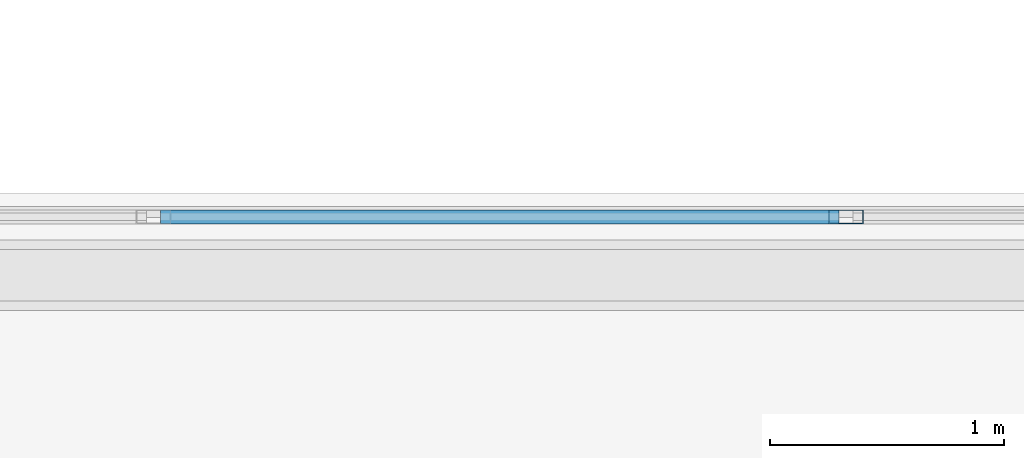
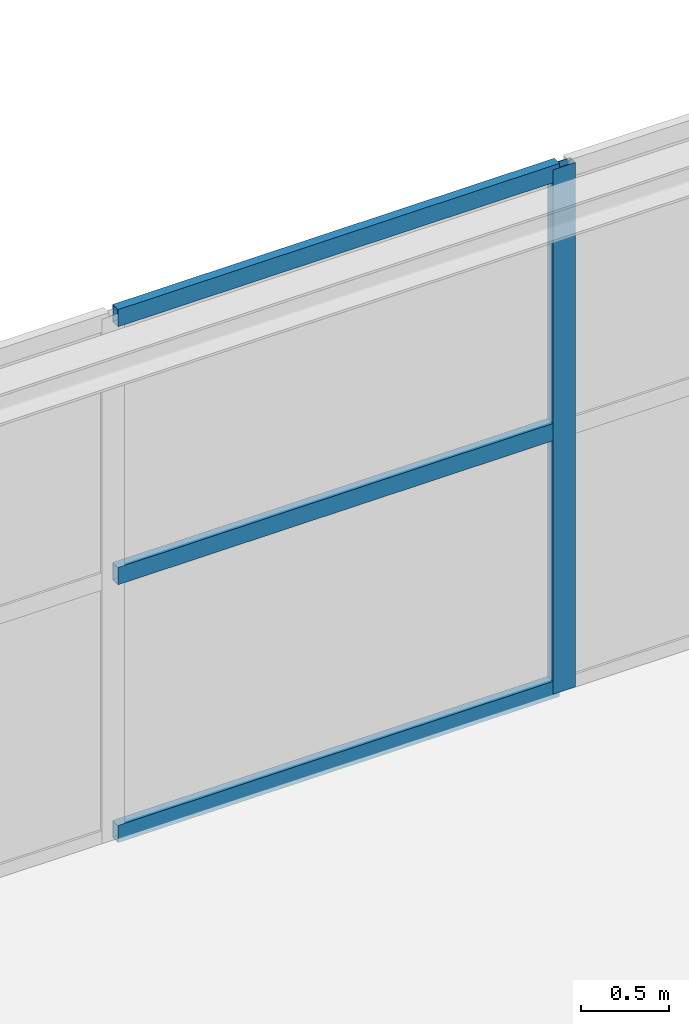
# One storey, part 67 of 167: 4 members, 1 element without a shape of its own.
"""IFC4 building model written with IfcOpenShell, lengths in metres."""

from ifc_helpers import new_model, si_unit, direction, frame, origin, origin_2d, place, context, subcontext, project, spatial, hollow_rectangle, extrude, material, layer, layer_set, material_profile, profile_set, type_object, element, aggregate, save


model = new_model("IFC4")

# Units and contexts
model_context = context("Model", 3, precision=1e-05, world=origin(), true_north=direction((0.0, 1.0)))
body_context = subcontext(model_context, "Body", "Model", "MODEL_VIEW")
ifc_project = project(units=[si_unit("LENGTHUNIT", "METRE"), si_unit("AREAUNIT", "SQUARE_METRE"), si_unit("VOLUMEUNIT", "CUBIC_METRE"), si_unit("PLANEANGLEUNIT", "RADIAN"), si_unit("MASSUNIT", "GRAM", prefix="KILO")], contexts=[model_context])

# Site, building, storey
site_placement = place(None, origin())
site = spatial("IfcSite", under=ifc_project, at=site_placement, CompositionType="ELEMENT")
building_placement = place(site_placement, origin())
building = spatial("IfcBuilding", under=site, at=building_placement, Name="Zizhar Promenade General Hospital", CompositionType="ELEMENT")
storey_placement = place(building_placement, frame((0.0, 0.0, 9.60009765625)))
storey = spatial("IfcBuildingStorey", under=building, at=storey_placement, Name="L02", CompositionType="ELEMENT", Elevation=9.60009765625)

# Curtain wall, members
ifc_material_1 = material(Name="Anodised aluminium 6063-T6 and low-E glass", Category="aluminium")
ifc_layer = layer(ifc_material_1, 0.159912109375)
ifc_layer_set = layer_set([ifc_layer], Name="Anodised aluminium 6063-T6 and low-E glass")
curtain_wall_type = type_object("IfcCurtainWallType", Name="CW-SKY-GLZ", PredefinedType="NOTDEFINED", material=ifc_layer_set)
curtain_wall_placement = place(storey_placement, origin())
curtain_wall = element("IfcCurtainWall", 1, at=curtain_wall_placement, inside=storey, type_object=curtain_wall_type, Name="Courtyard Surgical-Clinic Skybridge Level L02 North Glazing 2", PredefinedType="NOTDEFINED")
ifc_material_2 = material(Name="Anodised aluminium 6063-T6", Category="aluminium")
ifc_material_profile_1 = material_profile(ifc_material_2, hollow_rectangle(XDim=0.06005859375, YDim=0.14990234375, WallThickness=0.00390625, at=origin_2d()))
ifc_profile_set_1 = profile_set([ifc_material_profile_1], Name="Anodised aluminium 6063-T6")
member_type_1 = type_object("IfcMemberType", Name="CWM-ALU-150x60", PredefinedType="MULLION", material=ifc_profile_set_1)
member_1_placement = place(storey_placement, frame((92.1201171875, 82.699951171875, 0.0), z_axis=(0.0, 0.0, 1.0), x_axis=(0.0, 1.0, 0.0)))
member_1 = element("IfcMember", 2, at=member_1_placement, type_object=member_type_1, Name="CW-15 mullion 3", PredefinedType="MULLION", context=body_context, shape_type="SweptSolid", body=[
    extrude(hollow_rectangle(XDim=0.06005859375, YDim=0.14990234375, WallThickness=0.00390625, at=origin_2d()), origin(), (0.0, 0.0, 1.0), 3.639892578125),
])
ifc_material_3 = material(Name="Anodised aluminium 6063-T6", Category="aluminium")
ifc_material_profile_2 = material_profile(ifc_material_3, hollow_rectangle(XDim=0.06005859375, YDim=0.1201171875, WallThickness=0.00390625, at=origin_2d()))
ifc_profile_set_2 = profile_set([ifc_material_profile_2], Name="Anodised aluminium 6063-T6")
member_type_2 = type_object("IfcMemberType", Name="CWT-ALU-120x60", PredefinedType="USERDEFINED", material=ifc_profile_set_2)
member_2_placement = place(storey_placement, frame((89.18994140625, 82.699951171875, 0.02978515625), z_axis=(1.0, 0.0, 0.0), x_axis=(0.0, 1.0, 0.0)))
member_2 = element("IfcMember", 3, at=member_2_placement, type_object=member_type_2, Name="CW-15 transom 2.1", ObjectType="TRANSOM", PredefinedType="USERDEFINED", context=body_context, shape_type="SweptSolid", body=[
    extrude(hollow_rectangle(XDim=0.06005859375, YDim=0.1201171875, WallThickness=0.00390625, at=origin_2d()), origin(), (0.0, 0.0, 1.0), 2.900146484375),
])
member_3_placement = place(storey_placement, frame((89.18994140625, 82.699951171875, 1.81982421875), z_axis=(1.0, 0.0, 0.0), x_axis=(0.0, 1.0, 0.0)))
member_3 = element("IfcMember", 4, at=member_3_placement, type_object=member_type_2, Name="CW-15 transom 2.2", ObjectType="TRANSOM", PredefinedType="USERDEFINED", context=body_context, shape_type="SweptSolid", body=[
    extrude(hollow_rectangle(XDim=0.06005859375, YDim=0.1201171875, WallThickness=0.00390625, at=origin_2d()), origin(), (0.0, 0.0, 1.0), 2.900146484375),
])
member_4_placement = place(storey_placement, frame((89.18994140625, 82.699951171875, 3.60986328125), z_axis=(1.0, 0.0, 0.0), x_axis=(0.0, 1.0, 0.0)))
member_4 = element("IfcMember", 5, at=member_4_placement, type_object=member_type_2, Name="CW-15 transom 2.3", ObjectType="TRANSOM", PredefinedType="USERDEFINED", context=body_context, shape_type="SweptSolid", body=[
    extrude(hollow_rectangle(XDim=0.06005859375, YDim=0.1201171875, WallThickness=0.00390625, at=origin_2d()), origin(), (0.0, 0.0, 1.0), 2.900146484375),
])
aggregate(curtain_wall, [member_1, member_2, member_3, member_4])

save(model, "model.ifc")
